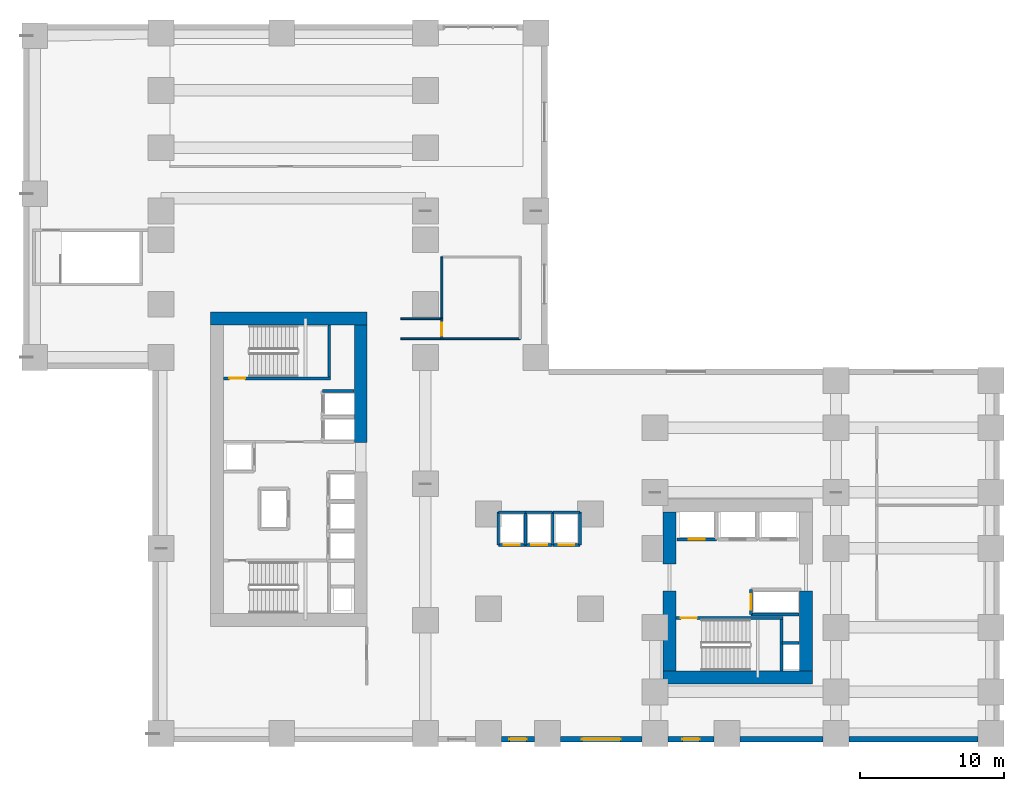
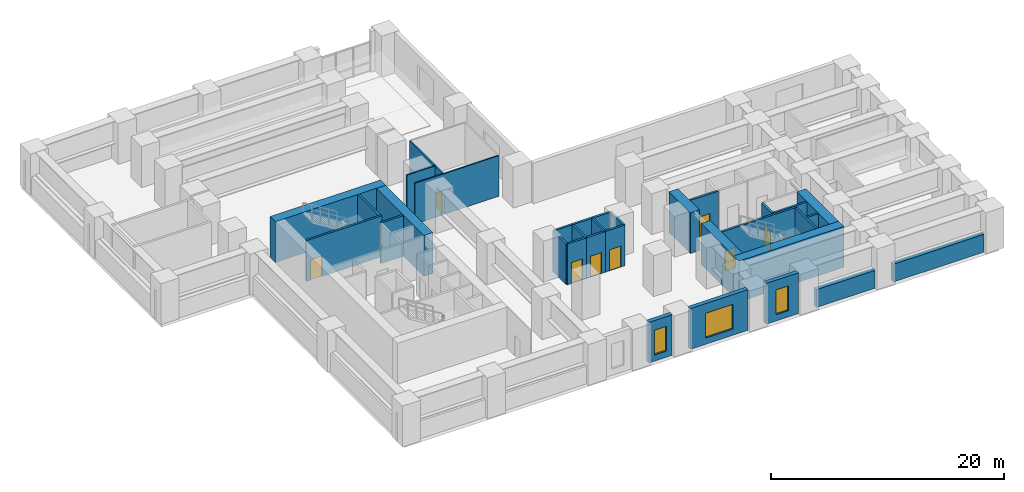
# One storey, part 7 of 12: 34 walls, 8 doors, 3 windows, 11 openings.
"""IFC4 building model written with IfcOpenShell, lengths in metres."""

from ifc_helpers import new_model, si_unit, direction, frame, frame_2d, origin, place, context, subcontext, project, spatial, rectangle, extrude, source, transform, mapped, material, layer, layer_set, type_object, element, fill, save


model = new_model("IFC4")

# Units and contexts
model_context = context("Model", 3, precision=1e-05, world=origin(), true_north=direction((0.0, 1.0)))
body_context = subcontext(model_context, "Body", "Model", "MODEL_VIEW")
ifc_project = project(units=[si_unit("LENGTHUNIT", "METRE"), si_unit("AREAUNIT", "SQUARE_METRE"), si_unit("VOLUMEUNIT", "CUBIC_METRE"), si_unit("PLANEANGLEUNIT", "RADIAN"), si_unit("MASSUNIT", "GRAM", prefix="KILO")], contexts=[model_context])

# Site, building, storey
site_placement = place(None, origin())
site = spatial("IfcSite", under=ifc_project, at=site_placement, CompositionType="ELEMENT")
building_placement = place(site_placement, origin())
building = spatial("IfcBuilding", under=site, at=building_placement, Name="Kharzan Plaza Tower", CompositionType="ELEMENT")
storey_placement = place(building_placement, frame((0.0, 0.0, 18.0)))
storey = spatial("IfcBuildingStorey", under=building, at=storey_placement, Name="L04", CompositionType="ELEMENT", Elevation=18.0)

# Wall, opening, door
ifc_material_1 = material(Name="Fire-Rated Gypsum Board Partition", Category="gypsum")
ifc_layer_1 = layer(ifc_material_1, 0.125)
ifc_layer_set_1 = layer_set([ifc_layer_1], Name="Fire-Rated Gypsum Board Partition")
wall_type_1 = type_object("IfcWallType", Name="WL-INT-PART-125", PredefinedType="PARTITIONING", material=ifc_layer_set_1)
wall_1_placement = place(storey_placement, frame((20.14990234375, 28.10009765625, 0.0), z_axis=(0.0, 0.0, 1.0), x_axis=(0.0, 1.0, 0.0)))
wall_1 = element("IfcWall", 1, at=wall_1_placement, inside=storey, type_object=wall_type_1, Name="L04 Interior Partition L04-WCPW", PredefinedType="PARTITIONING", context=body_context, shape_type="SweptSolid", body=[
    extrude(rectangle(XDim=1.39990234375, YDim=0.125, at=frame_2d((0.699951171875, 0.0))), origin(), (0.0, 0.0, 1.0), 4.264892578125),
])
opening_1_placement = place(wall_1_placement, frame((0.22509765625, 0.0, 0.0)))
opening_1 = element("IfcOpeningElement", 2, at=opening_1_placement, cuts=wall_1, Name="Opening WD1", PredefinedType="OPENING", context=body_context, shape_type="SweptSolid", body=[
    extrude(rectangle(XDim=0.89990234375, YDim=2.14990234375, at=frame_2d((0.449951171875, 1.074951171875))), frame((0.0, 0.072509765625, 0.0), z_axis=(0.0, -1.0, 0.0), x_axis=(1.0, 0.0, 0.0)), (0.0, 0.0, 1.0), 0.14501953125),
])
ifc_material_2 = material(Name="Moisture-Resistant Fire-Rated Laminate", Category="timber")
door_type_1 = type_object("IfcDoorType", Name="DR-WC-900", OperationType="NOTDEFINED", PredefinedType="DOOR", material=ifc_material_2)
shared_shape_1 = source(origin(), body_context, "Body", "SweptSolid", [
    extrude(rectangle(XDim=0.89990234375, YDim=2.14990234375, at=frame_2d((0.449951171875, 1.074951171875))), frame((0.0, 0.02490234375, 0.0), z_axis=(0.0, -1.0, 0.0), x_axis=(1.0, 0.0, 0.0)), (0.0, 0.0, 1.0), 0.050048828125),
])
door_1_placement = place(opening_1_placement, origin())
door_1 = element("IfcDoor", 3, at=door_1_placement, inside=storey, type_object=door_type_1, Name="L04 L04 Washroom Door", OperationType="SINGLE_SWING_LEFT", OverallHeight=2.14990234375, OverallWidth=0.89990234375, PredefinedType="DOOR", context=body_context, shape_type="MappedRepresentation", body=[
    mapped(shared_shape_1, transform((0.0, 0.0, 0.0), x_axis=(1.0, 0.0, 0.0), y_axis=(0.0, 1.0, 0.0), z_axis=(0.0, 0.0, 1.0))),
])
fill(opening_1, door_1)

ifc_material_3 = material(Name="Concrete C40/50", Category="concrete")
ifc_layer_2 = layer(ifc_material_3, 0.199951171875)
ifc_layer_set_2 = layer_set([ifc_layer_2], Name="Concrete C40/50")
wall_type_2 = type_object("IfcWallType", Name="WL-INT-SHAFT-200", PredefinedType="PARTITIONING", material=ifc_layer_set_2)
wall_2_placement = place(storey_placement, frame((36.530029296875, 14.1298828125, 0.0), z_axis=(0.0, 0.0, 1.0), x_axis=(1.0, 0.0, 0.0)))
wall_2 = element("IfcWall", 4, at=wall_2_placement, inside=storey, type_object=wall_type_2, Name="L04 Interior Partition SHF-PL-L1-S", PredefinedType="PARTITIONING", context=body_context, shape_type="SweptSolid", body=[
    extrude(rectangle(XDim=2.739990234375, YDim=0.199951171875, at=frame_2d((1.3701171875, 0.0))), origin(), (0.0, 0.0, 1.0), 4.264892578125),
])
opening_2_placement = place(wall_2_placement, frame((0.820068359375, 0.0, 0.0)))
opening_2 = element("IfcOpeningElement", 5, at=opening_2_placement, cuts=wall_2, Name="Opening LD", PredefinedType="OPENING", context=body_context, shape_type="SweptSolid", body=[
    extrude(rectangle(XDim=1.10009765625, YDim=2.199951171875, at=frame_2d((0.550048828125, 1.10009765625))), frame((0.0, 0.10986328125, 0.0), z_axis=(0.0, -1.0, 0.0), x_axis=(1.0, 0.0, 0.0)), (0.0, 0.0, 1.0), 0.219970703125),
])
ifc_material_4 = material(Name="Brushed Stainless Steel", Category="steel")
door_type_2 = type_object("IfcDoorType", Name="DR-LIFT-SLIDE", OperationType="SLIDING_TO_LEFT", PredefinedType="DOOR", material=ifc_material_4)
shared_shape_2 = source(origin(), body_context, "Body", "SweptSolid", [
    extrude(rectangle(XDim=1.10009765625, YDim=2.199951171875, at=frame_2d((0.550048828125, 1.10009765625))), frame((0.0, 0.02490234375, 0.0), z_axis=(0.0, -1.0, 0.0), x_axis=(1.0, 0.0, 0.0)), (0.0, 0.0, 1.0), 0.050048828125),
])
door_2_placement = place(opening_2_placement, origin())
door_2 = element("IfcDoor", 6, at=door_2_placement, inside=storey, type_object=door_type_2, Name="L04 Low-Rise Passenger Lift PL-L1 Sliding Landing Door", OperationType="SLIDING_TO_LEFT", OverallHeight=2.199951171875, OverallWidth=1.10009765625, PredefinedType="DOOR", context=body_context, shape_type="MappedRepresentation", body=[
    mapped(shared_shape_2, transform((0.0, 0.0, 0.0), x_axis=(1.0, 0.0, 0.0), y_axis=(0.0, 1.0, 0.0), z_axis=(0.0, 0.0, 1.0))),
])
fill(opening_2, door_2)

wall_3_placement = place(storey_placement, frame((24.080078125, 13.72998046875, 0.0), z_axis=(0.0, 0.0, 1.0), x_axis=(1.0, 0.0, 0.0)))
wall_3 = element("IfcWall", 7, at=wall_3_placement, inside=storey, type_object=wall_type_2, Name="L04 Interior Partition SHF-PL-M1-S", PredefinedType="PARTITIONING", context=body_context, shape_type="SweptSolid", body=[
    extrude(rectangle(XDim=1.889892578125, YDim=0.199951171875, at=frame_2d((0.94482421875, 0.0))), origin(), (0.0, 0.0, 1.0), 4.264892578125),
])
opening_3_placement = place(wall_3_placement, frame((0.39501953125, 0.0, 0.0)))
opening_3 = element("IfcOpeningElement", 8, at=opening_3_placement, cuts=wall_3, Name="Opening LD", PredefinedType="OPENING", context=body_context, shape_type="SweptSolid", body=[
    extrude(rectangle(XDim=1.10009765625, YDim=2.199951171875, at=frame_2d((0.550048828125, 1.10009765625))), frame((0.0, 0.10986328125, 0.0), z_axis=(0.0, -1.0, 0.0), x_axis=(1.0, 0.0, 0.0)), (0.0, 0.0, 1.0), 0.219970703125),
])
door_3_placement = place(opening_3_placement, origin())
door_3 = element("IfcDoor", 9, at=door_3_placement, inside=storey, type_object=door_type_2, Name="L04 Mid-Rise Passenger Lift PL-M1 Sliding Landing Door", OperationType="SLIDING_TO_LEFT", OverallHeight=2.199951171875, OverallWidth=1.10009765625, PredefinedType="DOOR", context=body_context, shape_type="MappedRepresentation", body=[
    mapped(shared_shape_2, transform((0.0, 0.0, 0.0), x_axis=(1.0, 0.0, 0.0), y_axis=(0.0, 1.0, 0.0), z_axis=(0.0, 0.0, 1.0))),
])
fill(opening_3, door_3)

wall_4_placement = place(storey_placement, frame((25.97998046875, 13.72998046875, 0.0), z_axis=(0.0, 0.0, 1.0), x_axis=(1.0, 0.0, 0.0)))
wall_4 = element("IfcWall", 10, at=wall_4_placement, inside=storey, type_object=wall_type_2, Name="L04 Interior Partition SHF-PL-M2-S", PredefinedType="PARTITIONING", context=body_context, shape_type="SweptSolid", body=[
    extrude(rectangle(XDim=1.89013671875, YDim=0.199951171875, at=frame_2d((0.945068359375, 0.0))), origin(), (0.0, 0.0, 1.0), 4.264892578125),
])
opening_4_placement = place(wall_4_placement, frame((0.39501953125, 0.0, 0.0)))
opening_4 = element("IfcOpeningElement", 11, at=opening_4_placement, cuts=wall_4, Name="Opening LD", PredefinedType="OPENING", context=body_context, shape_type="SweptSolid", body=[
    extrude(rectangle(XDim=1.10009765625, YDim=2.199951171875, at=frame_2d((0.550048828125, 1.10009765625))), frame((0.0, 0.10986328125, 0.0), z_axis=(0.0, -1.0, 0.0), x_axis=(1.0, 0.0, 0.0)), (0.0, 0.0, 1.0), 0.219970703125),
])
door_4_placement = place(opening_4_placement, origin())
door_4 = element("IfcDoor", 12, at=door_4_placement, inside=storey, type_object=door_type_2, Name="L04 Mid-Rise Passenger Lift PL-M2 Sliding Landing Door", OperationType="SLIDING_TO_LEFT", OverallHeight=2.199951171875, OverallWidth=1.10009765625, PredefinedType="DOOR", context=body_context, shape_type="MappedRepresentation", body=[
    mapped(shared_shape_2, transform((0.0, 0.0, 0.0), x_axis=(1.0, 0.0, 0.0), y_axis=(0.0, 1.0, 0.0), z_axis=(0.0, 0.0, 1.0))),
])
fill(opening_4, door_4)

wall_5_placement = place(storey_placement, frame((27.8798828125, 13.72998046875, 0.0), z_axis=(0.0, 0.0, 1.0), x_axis=(1.0, 0.0, 0.0)))
wall_5 = element("IfcWall", 13, at=wall_5_placement, inside=storey, type_object=wall_type_2, Name="L04 Interior Partition SHF-PL-M3-S", PredefinedType="PARTITIONING", context=body_context, shape_type="SweptSolid", body=[
    extrude(rectangle(XDim=1.89013671875, YDim=0.199951171875, at=frame_2d((0.945068359375, 0.0))), origin(), (0.0, 0.0, 1.0), 4.264892578125),
])
opening_5_placement = place(wall_5_placement, frame((0.39501953125, 0.0, 0.0)))
opening_5 = element("IfcOpeningElement", 14, at=opening_5_placement, cuts=wall_5, Name="Opening LD", PredefinedType="OPENING", context=body_context, shape_type="SweptSolid", body=[
    extrude(rectangle(XDim=1.10009765625, YDim=2.199951171875, at=frame_2d((0.550048828125, 1.10009765625))), frame((0.0, 0.10986328125, 0.0), z_axis=(0.0, -1.0, 0.0), x_axis=(1.0, 0.0, 0.0)), (0.0, 0.0, 1.0), 0.219970703125),
])
door_5_placement = place(opening_5_placement, origin())
door_5 = element("IfcDoor", 15, at=door_5_placement, inside=storey, type_object=door_type_2, Name="L04 Mid-Rise Passenger Lift PL-M3 Sliding Landing Door", OperationType="SLIDING_TO_LEFT", OverallHeight=2.199951171875, OverallWidth=1.10009765625, PredefinedType="DOOR", context=body_context, shape_type="MappedRepresentation", body=[
    mapped(shared_shape_2, transform((0.0, 0.0, 0.0), x_axis=(1.0, 0.0, 0.0), y_axis=(0.0, 1.0, 0.0), z_axis=(0.0, 0.0, 1.0))),
])
fill(opening_5, door_5)

wall_6_placement = place(storey_placement, frame((41.679931640625, 8.89990234375, 0.0), z_axis=(0.0, 0.0, 1.0), x_axis=(0.0, 1.0, 0.0)))
wall_6 = element("IfcWall", 16, at=wall_6_placement, inside=storey, type_object=wall_type_2, Name="L04 Interior Partition SHF-SVL-2-W", PredefinedType="PARTITIONING", context=body_context, shape_type="SweptSolid", body=[
    extrude(rectangle(XDim=1.739990234375, YDim=0.199951171875, at=frame_2d((0.8701171875, 0.0))), origin(), (0.0, 0.0, 1.0), 4.264892578125),
])
opening_6_placement = place(wall_6_placement, frame((0.320068359375, 0.0, 0.0)))
opening_6 = element("IfcOpeningElement", 17, at=opening_6_placement, cuts=wall_6, Name="Opening LD", PredefinedType="OPENING", context=body_context, shape_type="SweptSolid", body=[
    extrude(rectangle(XDim=1.10009765625, YDim=2.199951171875, at=frame_2d((0.550048828125, 1.10009765625))), frame((0.0, 0.10986328125, 0.0), z_axis=(0.0, -1.0, 0.0), x_axis=(1.0, 0.0, 0.0)), (0.0, 0.0, 1.0), 0.219970703125),
])
door_6_placement = place(opening_6_placement, origin())
door_6 = element("IfcDoor", 18, at=door_6_placement, inside=storey, type_object=door_type_2, Name="L04 Service Lift SVL-2 Sliding Landing Door", OperationType="SLIDING_TO_LEFT", OverallHeight=2.199951171875, OverallWidth=1.10009765625, PredefinedType="DOOR", context=body_context, shape_type="MappedRepresentation", body=[
    mapped(shared_shape_2, transform((0.0, 0.0, 0.0), x_axis=(1.0, 0.0, 0.0), y_axis=(0.0, 1.0, 0.0), z_axis=(0.0, 0.0, 1.0))),
])
fill(opening_6, door_6)

# Wall, opening, window
ifc_layer_3 = layer(ifc_material_3, 0.39990234375)
ifc_layer_set_3 = layer_set([ifc_layer_3], Name="Concrete C40/50")
wall_type_3 = type_object("IfcWallType", Name="WL-POD-MAS-400", PredefinedType="SOLIDWALL", material=ifc_layer_set_3)
wall_7_placement = place(storey_placement, frame((24.298095703125, 0.199951171875, 0.0), z_axis=(0.0, 0.0, 1.0), x_axis=(1.0, 0.0, 0.0)))
wall_7 = element("IfcWall", 19, at=wall_7_placement, inside=storey, type_object=wall_type_3, Name="L04 Masonry-Frame Exterior Wall 18", PredefinedType="SOLIDWALL", context=body_context, shape_type="SweptSolid", body=[
    extrude(rectangle(XDim=2.303955078125, YDim=0.39990234375, at=frame_2d((1.15185546875, 0.0))), origin(), (0.0, 0.0, 1.0), 4.264892578125),
])
opening_7_placement = place(wall_7_placement, frame((0.552001953125, 0.0, 0.64990234375)))
opening_7 = element("IfcOpeningElement", 20, at=opening_7_placement, cuts=wall_7, Name="Opening W3", PredefinedType="OPENING", context=body_context, shape_type="SweptSolid", body=[
    extrude(rectangle(XDim=1.199951171875, YDim=2.60009765625, at=frame_2d((0.60009765625, 1.300048828125))), frame((0.0, 0.2099609375, 0.0), z_axis=(0.0, -1.0, 0.0), x_axis=(1.0, 0.0, 0.0)), (0.0, 0.0, 1.0), 0.419921875),
])
ifc_material_5 = material(Name="Low-E Double Glazing", Category="glass")
window_type_1 = type_object("IfcWindowType", Name="WN-REC-1200x2100", PartitioningType="SINGLE_PANEL", PredefinedType="WINDOW", material=ifc_material_5)
shared_shape_3 = source(origin(), body_context, "Body", "SweptSolid", [
    extrude(rectangle(XDim=1.199951171875, YDim=2.60009765625, at=frame_2d((0.60009765625, 1.300048828125))), frame((0.0, 0.030029296875, 0.0), z_axis=(0.0, -1.0, 0.0), x_axis=(1.0, 0.0, 0.0)), (0.0, 0.0, 1.0), 0.06005859375),
])
window_1_placement = place(opening_7_placement, origin())
window_1 = element("IfcWindow", 21, at=window_1_placement, inside=storey, type_object=window_type_1, Name="L04 Recessed Solar-Control Window 18-1", OverallHeight=2.60009765625, OverallWidth=1.199951171875, PartitioningType="SINGLE_PANEL", PredefinedType="WINDOW", context=body_context, shape_type="MappedRepresentation", body=[
    mapped(shared_shape_3, transform((0.0, 0.0, 0.0), x_axis=(1.0, 0.0, 0.0), y_axis=(0.0, 1.0, 0.0), z_axis=(0.0, 0.0, 1.0))),
])
fill(opening_7, window_1)

wall_8_placement = place(storey_placement, frame((28.39794921875, 0.199951171875, 0.0), z_axis=(0.0, 0.0, 1.0), x_axis=(1.0, 0.0, 0.0)))
wall_8 = element("IfcWall", 22, at=wall_8_placement, inside=storey, type_object=wall_type_3, Name="L04 Masonry-Frame Exterior Wall 19", PredefinedType="SOLIDWALL", context=body_context, shape_type="SweptSolid", body=[
    extrude(rectangle(XDim=5.7041015625, YDim=0.39990234375, at=frame_2d((2.85205078125, 0.0))), origin(), (0.0, 0.0, 1.0), 4.264892578125),
])
opening_8_placement = place(wall_8_placement, frame((1.501953125, 0.0, 0.64990234375)))
opening_8 = element("IfcOpeningElement", 23, at=opening_8_placement, cuts=wall_8, Name="Opening W4", PredefinedType="OPENING", context=body_context, shape_type="SweptSolid", body=[
    extrude(rectangle(XDim=2.699951171875, YDim=2.60009765625, at=frame_2d((1.35009765625, 1.300048828125))), frame((0.0, 0.2099609375, 0.0), z_axis=(0.0, -1.0, 0.0), x_axis=(1.0, 0.0, 0.0)), (0.0, 0.0, 1.0), 0.419921875),
])
window_type_2 = type_object("IfcWindowType", Name="WN-POD-2700x2600", PartitioningType="SINGLE_PANEL", PredefinedType="WINDOW", material=ifc_material_5)
shared_shape_4 = source(origin(), body_context, "Body", "SweptSolid", [
    extrude(rectangle(XDim=2.699951171875, YDim=2.60009765625, at=frame_2d((1.35009765625, 1.300048828125))), frame((0.0, 0.030029296875, 0.0), z_axis=(0.0, -1.0, 0.0), x_axis=(1.0, 0.0, 0.0)), (0.0, 0.0, 1.0), 0.06005859375),
])
window_2_placement = place(opening_8_placement, origin())
window_2 = element("IfcWindow", 24, at=window_2_placement, inside=storey, type_object=window_type_2, Name="L04 Recessed Solar-Control Window 19-1", OverallHeight=2.60009765625, OverallWidth=2.699951171875, PartitioningType="SINGLE_PANEL", PredefinedType="WINDOW", context=body_context, shape_type="MappedRepresentation", body=[
    mapped(shared_shape_4, transform((0.0, 0.0, 0.0), x_axis=(1.0, 0.0, 0.0), y_axis=(0.0, 1.0, 0.0), z_axis=(0.0, 0.0, 1.0))),
])
fill(opening_8, window_2)

wall_9_placement = place(storey_placement, frame((35.89794921875, 0.199951171875, 0.0), z_axis=(0.0, 0.0, 1.0), x_axis=(1.0, 0.0, 0.0)))
wall_9 = element("IfcWall", 25, at=wall_9_placement, inside=storey, type_object=wall_type_3, Name="L04 Masonry-Frame Exterior Wall 20", PredefinedType="SOLIDWALL", context=body_context, shape_type="SweptSolid", body=[
    extrude(rectangle(XDim=3.2041015625, YDim=0.39990234375, at=frame_2d((1.60205078125, 0.0))), origin(), (0.0, 0.0, 1.0), 4.264892578125),
])
opening_9_placement = place(wall_9_placement, frame((1.001953125, 0.0, 0.64990234375)))
opening_9 = element("IfcOpeningElement", 26, at=opening_9_placement, cuts=wall_9, Name="Opening W3", PredefinedType="OPENING", context=body_context, shape_type="SweptSolid", body=[
    extrude(rectangle(XDim=1.199951171875, YDim=2.60009765625, at=frame_2d((0.60009765625, 1.300048828125))), frame((0.0, 0.2099609375, 0.0), z_axis=(0.0, -1.0, 0.0), x_axis=(1.0, 0.0, 0.0)), (0.0, 0.0, 1.0), 0.419921875),
])
window_3_placement = place(opening_9_placement, origin())
window_3 = element("IfcWindow", 27, at=window_3_placement, inside=storey, type_object=window_type_1, Name="L04 Recessed Solar-Control Window 20-1", OverallHeight=2.60009765625, OverallWidth=1.199951171875, PartitioningType="SINGLE_PANEL", PredefinedType="WINDOW", context=body_context, shape_type="MappedRepresentation", body=[
    mapped(shared_shape_3, transform((0.0, 0.0, 0.0), x_axis=(1.0, 0.0, 0.0), y_axis=(0.0, 1.0, 0.0), z_axis=(0.0, 0.0, 1.0))),
])
fill(opening_9, window_3)

# Wall, opening, door
ifc_material_6 = material(Name="Concrete C50/60", Category="concrete")
ifc_layer_4 = layer(ifc_material_6, 0.199951171875)
ifc_layer_set_4 = layer_set([ifc_layer_4], Name="Concrete C50/60")
wall_type_4 = type_object("IfcWallType", Name="WL-SHAFT-RC200", PredefinedType="SHEAR", material=ifc_layer_set_4)
wall_10_placement = place(storey_placement, frame((4.951904296875, 25.344970703125, 0.0), z_axis=(0.0, 0.0, 1.0), x_axis=(1.0, 0.0, 0.0)))
wall_10 = element("IfcWall", 28, at=wall_10_placement, inside=storey, type_object=wall_type_4, Name="L04 Stair ST-2 South RC Shaft Wall", PredefinedType="SHEAR", context=body_context, shape_type="SweptSolid", body=[
    extrude(rectangle(XDim=7.453125, YDim=0.199951171875, at=frame_2d((3.7265625, 0.0))), origin(), (0.0, 0.0, 1.0), 4.280029296875),
])
opening_10_placement = place(wall_10_placement, frame((0.39990234375, 0.0, 0.0)))
opening_10 = element("IfcOpeningElement", 29, at=opening_10_placement, cuts=wall_10, Name="Opening SD1", PredefinedType="OPENING", context=body_context, shape_type="SweptSolid", body=[
    extrude(rectangle(XDim=1.10009765625, YDim=2.14990234375, at=frame_2d((0.550048828125, 1.074951171875))), frame((0.0, 0.10986328125, 0.0), z_axis=(0.0, -1.0, 0.0), x_axis=(1.0, 0.0, 0.0)), (0.0, 0.0, 1.0), 0.219970703125),
])
ifc_material_7 = material(Name="Fire-Rated Hollow Galvanized Steel", Category="steel")
door_type_3 = type_object("IfcDoorType", Name="DR-STAIR-FD120", OperationType="NOTDEFINED", PredefinedType="DOOR", material=ifc_material_7)
shared_shape_5 = source(origin(), body_context, "Body", "SweptSolid", [
    extrude(rectangle(XDim=1.10009765625, YDim=2.14990234375, at=frame_2d((0.550048828125, 1.074951171875))), frame((0.0, 0.02490234375, 0.0), z_axis=(0.0, -1.0, 0.0), x_axis=(1.0, 0.0, 0.0)), (0.0, 0.0, 1.0), 0.050048828125),
])
door_7_placement = place(opening_10_placement, origin())
door_7 = element("IfcDoor", 30, at=door_7_placement, inside=storey, type_object=door_type_3, Name="L04 Stair ST-2 Fire Exit Door", OperationType="SINGLE_SWING_RIGHT", OverallHeight=2.14990234375, OverallWidth=1.10009765625, PredefinedType="DOOR", context=body_context, shape_type="MappedRepresentation", body=[
    mapped(shared_shape_5, transform((0.0, 0.0, 0.0), x_axis=(1.0, 0.0, 0.0), y_axis=(0.0, 1.0, 0.0), z_axis=(0.0, 0.0, 1.0))),
])
fill(opening_10, door_7)

wall_11_placement = place(storey_placement, frame((36.451904296875, 8.655029296875, 0.0), z_axis=(0.0, 0.0, 1.0), x_axis=(1.0, 0.0, 0.0)))
wall_11 = element("IfcWall", 31, at=wall_11_placement, inside=storey, type_object=wall_type_4, Name="L04 Stair ST-3 North RC Shaft Wall", PredefinedType="SHEAR", context=body_context, shape_type="SweptSolid", body=[
    extrude(rectangle(XDim=7.453125, YDim=0.199951171875, at=frame_2d((3.7265625, 0.0))), origin(), (0.0, 0.0, 1.0), 4.280029296875),
])
opening_11_placement = place(wall_11_placement, frame((0.35009765625, 0.0, 0.0)))
opening_11 = element("IfcOpeningElement", 32, at=opening_11_placement, cuts=wall_11, Name="Opening SD1", PredefinedType="OPENING", context=body_context, shape_type="SweptSolid", body=[
    extrude(rectangle(XDim=1.10009765625, YDim=2.14990234375, at=frame_2d((0.550048828125, 1.074951171875))), frame((0.0, 0.10986328125, 0.0), z_axis=(0.0, -1.0, 0.0), x_axis=(1.0, 0.0, 0.0)), (0.0, 0.0, 1.0), 0.219970703125),
])
door_8_placement = place(opening_11_placement, origin())
door_8 = element("IfcDoor", 33, at=door_8_placement, inside=storey, type_object=door_type_3, Name="L04 Stair ST-3 Fire Exit Door", OperationType="SINGLE_SWING_RIGHT", OverallHeight=2.14990234375, OverallWidth=1.10009765625, PredefinedType="DOOR", context=body_context, shape_type="MappedRepresentation", body=[
    mapped(shared_shape_5, transform((0.0, 0.0, 0.0), x_axis=(1.0, 0.0, 0.0), y_axis=(0.0, 1.0, 0.0), z_axis=(0.0, 0.0, 1.0))),
])
fill(opening_11, door_8)

# Walls
ifc_material_8 = material(Name="Concrete C60/75", Category="concrete")
ifc_layer_5 = layer(ifc_material_8, 0.89990234375)
ifc_layer_set_5 = layer_set([ifc_layer_5], Name="Concrete C60/75")
wall_type_5 = type_object("IfcWallType", Name="WL-CORE-900", PredefinedType="SHEAR", material=ifc_layer_set_5)
shared_shape_6 = source(origin(), body_context, "Body", "SweptSolid", [
    extrude(rectangle(XDim=8.170166015625, YDim=0.89990234375, at=frame_2d((4.0849609375, 0.0))), origin(), (0.0, 0.0, 1.0), 4.280029296875),
])
wall_12_placement = place(storey_placement, frame((14.5, 20.8798828125, 0.0), z_axis=(0.0, 0.0, 1.0), x_axis=(0.0, 1.0, 0.0)))
element("IfcWall", 34, at=wall_12_placement, inside=storey, type_object=wall_type_5, Name="L04 CORE-A east shear pier 2", PredefinedType="SHEAR", context=body_context, shape_type="MappedRepresentation", body=[
    mapped(shared_shape_6, transform((0.0, 0.0, 0.0), x_axis=(1.0, 0.0, 0.0), y_axis=(0.0, 1.0, 0.0), z_axis=(0.0, 0.0, 1.0))),
])
shared_shape_7 = source(origin(), body_context, "Body", "SweptSolid", [
    extrude(rectangle(XDim=10.89990234375, YDim=0.89990234375, at=frame_2d((5.449951171875, 0.0))), origin(), (0.0, 0.0, 1.0), 4.280029296875),
])
wall_13_placement = place(storey_placement, frame((4.050048828125, 29.5, 0.0), z_axis=(0.0, 0.0, 1.0), x_axis=(1.0, 0.0, 0.0)))
element("IfcWall", 35, at=wall_13_placement, inside=storey, type_object=wall_type_5, Name="L04 CORE-A north RC shear wall", PredefinedType="SHEAR", context=body_context, shape_type="MappedRepresentation", body=[
    mapped(shared_shape_7, transform((0.0, 0.0, 0.0), x_axis=(1.0, 0.0, 0.0), y_axis=(0.0, 1.0, 0.0), z_axis=(0.0, 0.0, 1.0))),
])
shared_shape_8 = source(origin(), body_context, "Body", "SweptSolid", [
    extrude(rectangle(XDim=5.60009765625, YDim=0.89990234375, at=frame_2d((2.800048828125, 0.0))), origin(), (0.0, 0.0, 1.0), 4.280029296875),
])
for number, where, z_axis, x_axis, name in (
    (36, (45.5, 4.949951171875, 0.0), (0.0, 0.0, 1.0), (0.0, 1.0, 0.0), "L04 CORE-B east shear pier 1"),
    (37, (36.0, 4.949951171875, 0.0), (0.0, 0.0, 1.0), (0.0, 1.0, 0.0), "L04 CORE-B west shear pier 1"),
):
    element("IfcWall", number, at=place(storey_placement, frame(where, z_axis=z_axis, x_axis=x_axis)), inside=storey, type_object=wall_type_5, Name=name, PredefinedType="SHEAR", context=body_context, shape_type="MappedRepresentation", body=[
        mapped(shared_shape_8, transform((0.0, 0.0, 0.0), x_axis=(1.0, 0.0, 0.0), y_axis=(0.0, 1.0, 0.0), z_axis=(0.0, 0.0, 1.0))),
    ])
shared_shape_9 = source(origin(), body_context, "Body", "SweptSolid", [
    extrude(rectangle(XDim=3.650146484375, YDim=0.89990234375, at=frame_2d((1.8251953125, 0.0))), origin(), (0.0, 0.0, 1.0), 4.280029296875),
])
wall_14_placement = place(storey_placement, frame((36.0, 12.39990234375, 0.0), z_axis=(0.0, 0.0, 1.0), x_axis=(0.0, 1.0, 0.0)))
element("IfcWall", 38, at=wall_14_placement, inside=storey, type_object=wall_type_5, Name="L04 CORE-B west shear pier 2", PredefinedType="SHEAR", context=body_context, shape_type="MappedRepresentation", body=[
    mapped(shared_shape_9, transform((0.0, 0.0, 0.0), x_axis=(1.0, 0.0, 0.0), y_axis=(0.0, 1.0, 0.0), z_axis=(0.0, 0.0, 1.0))),
])
shared_shape_10 = source(origin(), body_context, "Body", "SweptSolid", [
    extrude(rectangle(XDim=10.39990234375, YDim=0.89990234375, at=frame_2d((5.199951171875, 0.0))), origin(), (0.0, 0.0, 1.0), 4.280029296875),
])
wall_15_placement = place(storey_placement, frame((35.550048828125, 4.5, 0.0), z_axis=(0.0, 0.0, 1.0), x_axis=(1.0, 0.0, 0.0)))
element("IfcWall", 39, at=wall_15_placement, inside=storey, type_object=wall_type_5, Name="L04 CORE-B south RC shear wall", PredefinedType="SHEAR", context=body_context, shape_type="MappedRepresentation", body=[
    mapped(shared_shape_10, transform((0.0, 0.0, 0.0), x_axis=(1.0, 0.0, 0.0), y_axis=(0.0, 1.0, 0.0), z_axis=(0.0, 0.0, 1.0))),
])
shared_shape_11 = source(origin(), body_context, "Body", "SweptSolid", [
    extrude(rectangle(XDim=5.803955078125, YDim=0.39990234375, at=frame_2d((2.90185546875, 0.0))), origin(), (0.0, 0.0, 1.0), 1.864990234375),
])
wall_16_placement = place(storey_placement, frame((40.89794921875, 0.199951171875, 0.0), z_axis=(0.0, 0.0, 1.0), x_axis=(1.0, 0.0, 0.0)))
element("IfcWall", 40, at=wall_16_placement, inside=storey, type_object=wall_type_3, Name="L04 Masonry-Frame Exterior Wall 21", PredefinedType="SOLIDWALL", context=body_context, shape_type="MappedRepresentation", body=[
    mapped(shared_shape_11, transform((0.0, 0.0, 0.0), x_axis=(1.0, 0.0, 0.0), y_axis=(0.0, 1.0, 0.0), z_axis=(0.0, 0.0, 1.0))),
])
shared_shape_12 = source(origin(), body_context, "Body", "SweptSolid", [
    extrude(rectangle(XDim=9.00390625, YDim=0.39990234375, at=frame_2d((4.501953125, 0.0))), origin(), (0.0, 0.0, 1.0), 1.864990234375),
])
wall_17_placement = place(storey_placement, frame((48.498046875, 0.199951171875, 0.0), z_axis=(0.0, 0.0, 1.0), x_axis=(1.0, 0.0, 0.0)))
element("IfcWall", 41, at=wall_17_placement, inside=storey, type_object=wall_type_3, Name="L04 Masonry-Frame Exterior Wall 22", PredefinedType="SOLIDWALL", context=body_context, shape_type="MappedRepresentation", body=[
    mapped(shared_shape_12, transform((0.0, 0.0, 0.0), x_axis=(1.0, 0.0, 0.0), y_axis=(0.0, 1.0, 0.0), z_axis=(0.0, 0.0, 1.0))),
])
shared_shape_13 = source(origin(), body_context, "Body", "SweptSolid", [
    extrude(rectangle(XDim=2.849853515625, YDim=0.125, at=frame_2d((1.4248046875, 0.0))), origin(), (0.0, 0.0, 1.0), 4.264892578125),
])
wall_18_placement = place(storey_placement, frame((17.300048828125, 29.5, 0.0), z_axis=(0.0, 0.0, 1.0), x_axis=(1.0, 0.0, 0.0)))
element("IfcWall", 42, at=wall_18_placement, inside=storey, type_object=wall_type_1, Name="L04 Interior Partition L04-WCPN1", PredefinedType="PARTITIONING", context=body_context, shape_type="MappedRepresentation", body=[
    mapped(shared_shape_13, transform((0.0, 0.0, 0.0), x_axis=(1.0, 0.0, 0.0), y_axis=(0.0, 1.0, 0.0), z_axis=(0.0, 0.0, 1.0))),
])
shared_shape_14 = source(origin(), body_context, "Body", "SweptSolid", [
    extrude(rectangle(XDim=8.300048828125, YDim=0.125, at=frame_2d((4.14990234375, 0.0))), origin(), (0.0, 0.0, 1.0), 4.264892578125),
])
wall_19_placement = place(storey_placement, frame((17.300048828125, 28.10009765625, 0.0), z_axis=(0.0, 0.0, 1.0), x_axis=(1.0, 0.0, 0.0)))
element("IfcWall", 43, at=wall_19_placement, inside=storey, type_object=wall_type_1, Name="L04 Interior Partition L04-WCPS", PredefinedType="PARTITIONING", context=body_context, shape_type="MappedRepresentation", body=[
    mapped(shared_shape_14, transform((0.0, 0.0, 0.0), x_axis=(1.0, 0.0, 0.0), y_axis=(0.0, 1.0, 0.0), z_axis=(0.0, 0.0, 1.0))),
])
shared_shape_15 = source(origin(), body_context, "Body", "SweptSolid", [
    extrude(rectangle(XDim=4.300048828125, YDim=0.125, at=frame_2d((2.14990234375, 0.0))), origin(), (0.0, 0.0, 1.0), 4.264892578125),
])
wall_20_placement = place(storey_placement, frame((20.14990234375, 29.5, 0.0), z_axis=(0.0, 0.0, 1.0), x_axis=(0.0, 1.0, 0.0)))
element("IfcWall", 44, at=wall_20_placement, inside=storey, type_object=wall_type_1, Name="L04 Interior Partition L04-WCPV1", PredefinedType="PARTITIONING", context=body_context, shape_type="MappedRepresentation", body=[
    mapped(shared_shape_15, transform((0.0, 0.0, 0.0), x_axis=(1.0, 0.0, 0.0), y_axis=(0.0, 1.0, 0.0), z_axis=(0.0, 0.0, 1.0))),
])
shared_shape_16 = source(origin(), body_context, "Body", "SweptSolid", [
    extrude(rectangle(XDim=1.169921875, YDim=0.199951171875, at=frame_2d((0.5849609375, 0.0))), origin(), (0.0, 0.0, 1.0), 4.264892578125),
])
wall_21_placement = place(storey_placement, frame((43.85009765625, 6.89990234375, 0.0), z_axis=(0.0, 0.0, 1.0), x_axis=(1.0, 0.0, 0.0)))
element("IfcWall", 45, at=wall_21_placement, inside=storey, type_object=wall_type_2, Name="L04 Interior Partition CB-RSRB-N", PredefinedType="PARTITIONING", context=body_context, shape_type="MappedRepresentation", body=[
    mapped(shared_shape_16, transform((0.0, 0.0, 0.0), x_axis=(1.0, 0.0, 0.0), y_axis=(0.0, 1.0, 0.0), z_axis=(0.0, 0.0, 1.0))),
])
shared_shape_17 = source(origin(), body_context, "Body", "SweptSolid", [
    extrude(rectangle(XDim=2.18994140625, YDim=0.199951171875, at=frame_2d((1.094970703125, 0.0))), origin(), (0.0, 0.0, 1.0), 4.264892578125),
])
wall_22_placement = place(storey_placement, frame((11.830078125, 24.4599609375, 0.0), z_axis=(0.0, 0.0, 1.0), x_axis=(1.0, 0.0, 0.0)))
element("IfcWall", 46, at=wall_22_placement, inside=storey, type_object=wall_type_2, Name="L04 Interior Partition SHF-FFL-2-N", PredefinedType="PARTITIONING", context=body_context, shape_type="MappedRepresentation", body=[
    mapped(shared_shape_17, transform((0.0, 0.0, 0.0), x_axis=(1.0, 0.0, 0.0), y_axis=(0.0, 1.0, 0.0), z_axis=(0.0, 0.0, 1.0))),
])
shared_shape_18 = source(origin(), body_context, "Body", "SweptSolid", [
    extrude(rectangle(XDim=1.89013671875, YDim=0.199951171875, at=frame_2d((0.945068359375, 0.0))), origin(), (0.0, 0.0, 1.0), 4.264892578125),
])
for number, where, z_axis, x_axis, name in (
    (47, (25.97998046875, 16.02001953125, 0.0), (0.0, 0.0, 1.0), (1.0, 0.0, 0.0), "L04 Interior Partition SHF-PL-M2-N"),
    (48, (27.8798828125, 16.02001953125, 0.0), (0.0, 0.0, 1.0), (1.0, 0.0, 0.0), "L04 Interior Partition SHF-PL-M3-N"),
):
    element("IfcWall", number, at=place(storey_placement, frame(where, z_axis=z_axis, x_axis=x_axis)), inside=storey, type_object=wall_type_2, Name=name, PredefinedType="PARTITIONING", context=body_context, shape_type="MappedRepresentation", body=[
        mapped(shared_shape_18, transform((0.0, 0.0, 0.0), x_axis=(1.0, 0.0, 0.0), y_axis=(0.0, 1.0, 0.0), z_axis=(0.0, 0.0, 1.0))),
    ])
shared_shape_19 = source(origin(), body_context, "Body", "SweptSolid", [
    extrude(rectangle(XDim=2.2900390625, YDim=0.199951171875, at=frame_2d((1.14501953125, 0.0))), origin(), (0.0, 0.0, 1.0), 4.264892578125),
])
for number, where, z_axis, x_axis, name in (
    (49, (25.969970703125, 13.72998046875, 0.0), (0.0, 0.0, 1.0), (0.0, 1.0, 0.0), "L04 Interior Partition SHF-PL-M1-E"),
    (50, (24.080078125, 13.72998046875, 0.0), (0.0, 0.0, 1.0), (0.0, 1.0, 0.0), "L04 Interior Partition SHF-PL-M1-W"),
    (51, (27.8701171875, 13.72998046875, 0.0), (0.0, 0.0, 1.0), (0.0, 1.0, 0.0), "L04 Interior Partition SHF-PL-M2-E"),
    (52, (29.77001953125, 13.72998046875, 0.0), (0.0, 0.0, 1.0), (0.0, 1.0, 0.0), "L04 Interior Partition SHF-PL-M3-E"),
):
    element("IfcWall", number, at=place(storey_placement, frame(where, z_axis=z_axis, x_axis=x_axis)), inside=storey, type_object=wall_type_2, Name=name, PredefinedType="PARTITIONING", context=body_context, shape_type="MappedRepresentation", body=[
        mapped(shared_shape_19, transform((0.0, 0.0, 0.0), x_axis=(1.0, 0.0, 0.0), y_axis=(0.0, 1.0, 0.0), z_axis=(0.0, 0.0, 1.0))),
    ])
shared_shape_20 = source(origin(), body_context, "Body", "SweptSolid", [
    extrude(rectangle(XDim=1.889892578125, YDim=0.199951171875, at=frame_2d((0.94482421875, 0.0))), origin(), (0.0, 0.0, 1.0), 4.264892578125),
])
wall_23_placement = place(storey_placement, frame((24.080078125, 16.02001953125, 0.0), z_axis=(0.0, 0.0, 1.0), x_axis=(1.0, 0.0, 0.0)))
element("IfcWall", 53, at=wall_23_placement, inside=storey, type_object=wall_type_2, Name="L04 Interior Partition SHF-PL-M1-N", PredefinedType="PARTITIONING", context=body_context, shape_type="MappedRepresentation", body=[
    mapped(shared_shape_20, transform((0.0, 0.0, 0.0), x_axis=(1.0, 0.0, 0.0), y_axis=(0.0, 1.0, 0.0), z_axis=(0.0, 0.0, 1.0))),
])
shared_shape_21 = source(origin(), body_context, "Body", "SweptSolid", [
    extrude(rectangle(XDim=3.340087890625, YDim=0.199951171875, at=frame_2d((1.669921875, 0.0))), origin(), (0.0, 0.0, 1.0), 4.264892578125),
])
wall_24_placement = place(storey_placement, frame((41.679931640625, 8.89990234375, 0.0), z_axis=(0.0, 0.0, 1.0), x_axis=(1.0, 0.0, 0.0)))
element("IfcWall", 54, at=wall_24_placement, inside=storey, type_object=wall_type_2, Name="L04 Interior Partition SHF-SVL-2-S", PredefinedType="PARTITIONING", context=body_context, shape_type="MappedRepresentation", body=[
    mapped(shared_shape_21, transform((0.0, 0.0, 0.0), x_axis=(1.0, 0.0, 0.0), y_axis=(0.0, 1.0, 0.0), z_axis=(0.0, 0.0, 1.0))),
])
shared_shape_22 = source(origin(), body_context, "Body", "SweptSolid", [
    extrude(rectangle(XDim=3.60302734375, YDim=0.199951171875, at=frame_2d((1.801513671875, 0.0))), origin(), (0.0, 0.0, 1.0), 4.280029296875),
])
for number, where, z_axis, x_axis, name in (
    (55, (12.304931640625, 25.445068359375, 0.0), (0.0, 0.0, 1.0), (0.0, 1.0, 0.0), "L04 Stair ST-2 East RC Shaft Wall"),
    (56, (43.804931640625, 4.951904296875, 0.0), (0.0, 0.0, 1.0), (0.0, 1.0, 0.0), "L04 Stair ST-3 East RC Shaft Wall"),
):
    element("IfcWall", number, at=place(storey_placement, frame(where, z_axis=z_axis, x_axis=x_axis)), inside=storey, type_object=wall_type_4, Name=name, PredefinedType="SHEAR", context=body_context, shape_type="MappedRepresentation", body=[
        mapped(shared_shape_22, transform((0.0, 0.0, 0.0), x_axis=(1.0, 0.0, 0.0), y_axis=(0.0, 1.0, 0.0), z_axis=(0.0, 0.0, 1.0))),
    ])

save(model, "model.ifc")
